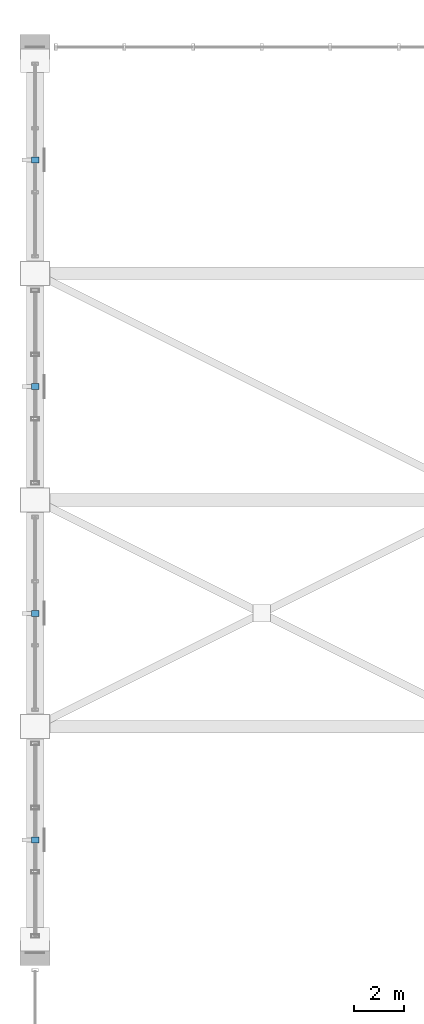
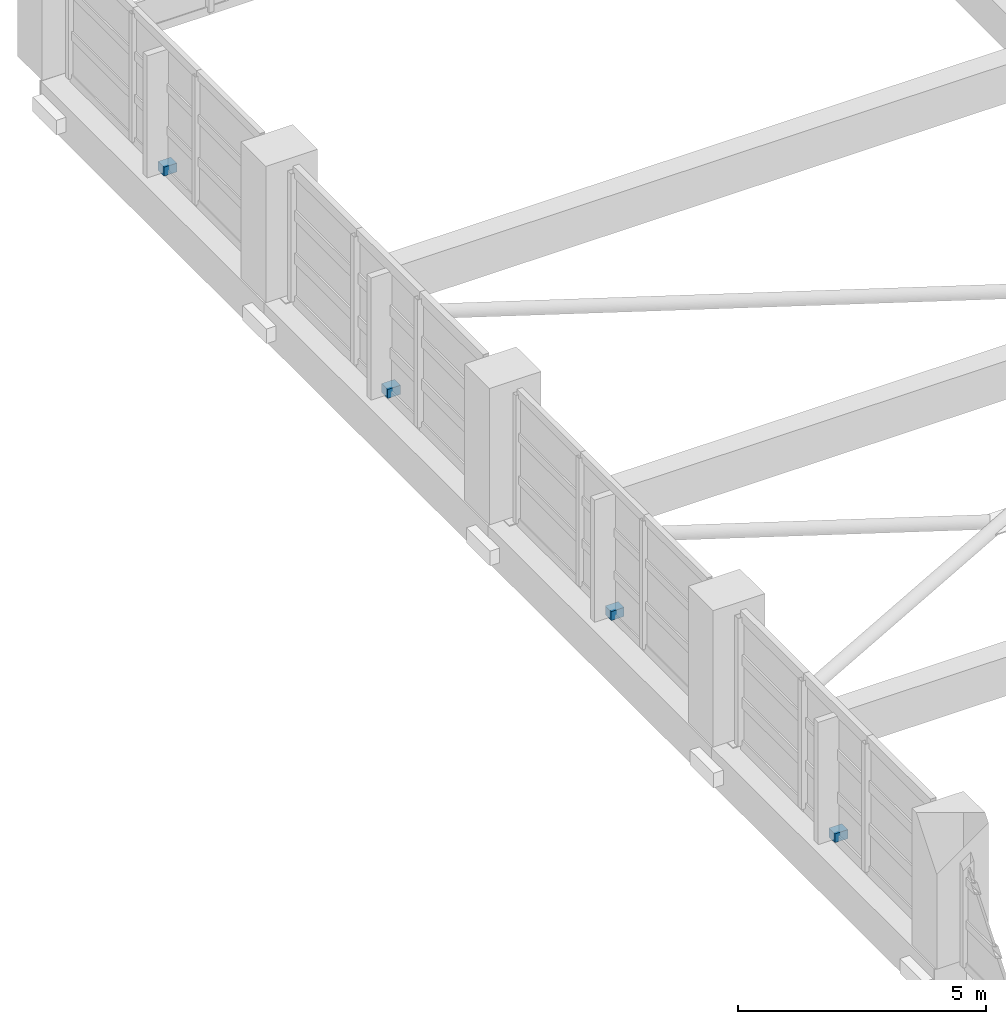
# One storey, part 107 of 116: 4 discrete accessories.
"""IFC4 building model written with IfcOpenShell, lengths in metres."""

from ifc_helpers import new_model, si_unit, direction, frame, origin, origin_2d, place, context, subcontext, project, spatial, rectangle, extrude, material, type_object, element, save


model = new_model("IFC4")

# Units and contexts
model_context = context("Model", 3, precision=1e-05, world=origin(), true_north=direction((0.0, 1.0)))
body_context = subcontext(model_context, "Body", "Model", "MODEL_VIEW")
ifc_project = project(units=[si_unit("LENGTHUNIT", "METRE"), si_unit("AREAUNIT", "SQUARE_METRE"), si_unit("VOLUMEUNIT", "CUBIC_METRE"), si_unit("PLANEANGLEUNIT", "RADIAN"), si_unit("MASSUNIT", "GRAM", prefix="KILO")], contexts=[model_context])

# Site, building, storey
site_placement = place(None, origin())
site = spatial("IfcSite", under=ifc_project, at=site_placement, CompositionType="ELEMENT")
building_placement = place(site_placement, origin())
building = spatial("IfcBuilding", under=site, at=building_placement, Name="Chuanluo Vaults Station", CompositionType="ELEMENT")
storey_placement = place(building_placement, frame((0.0, 0.0, 10.800048828125)))
storey = spatial("IfcBuildingStorey", under=building, at=storey_placement, Name="L02", CompositionType="ELEMENT", Elevation=10.800048828125)

# Discrete accessories
ifc_material = material(Name="Steel Q355C", Category="steel")
discrete_accessory_type = type_object("IfcDiscreteAccessoryType", Name="ACC-BRK-FIN", PredefinedType="BRACKET", material=ifc_material)
for number, where, z_axis, x_axis, name in (
    (1, (0.0, 72.0, -0.01025390625), (0.0, 0.0, 1.0), (1.0, 0.0, 0.0), "West solar fin bracket 20"),
    (2, (0.0, 81.0, -0.01025390625), (0.0, 0.0, 1.0), (1.0, 0.0, 0.0), "West solar fin bracket 21"),
    (3, (0.0, 90.0, -0.01025390625), (0.0, 0.0, 1.0), (1.0, 0.0, 0.0), "West solar fin bracket 22"),
    (4, (0.0, 99.0, -0.01025390625), (0.0, 0.0, 1.0), (1.0, 0.0, 0.0), "West solar fin bracket 23"),
):
    element("IfcDiscreteAccessory", number, at=place(storey_placement, frame(where, z_axis=z_axis, x_axis=x_axis)), inside=storey, type_object=discrete_accessory_type, Name=name, PredefinedType="BRACKET", context=body_context, shape_type="SweptSolid", body=[
        extrude(rectangle(XDim=0.300048828125, YDim=0.239990234375, at=origin_2d()), origin(), (0.0, 0.0, 1.0), 0.219970703125),
    ])

save(model, "model.ifc")
